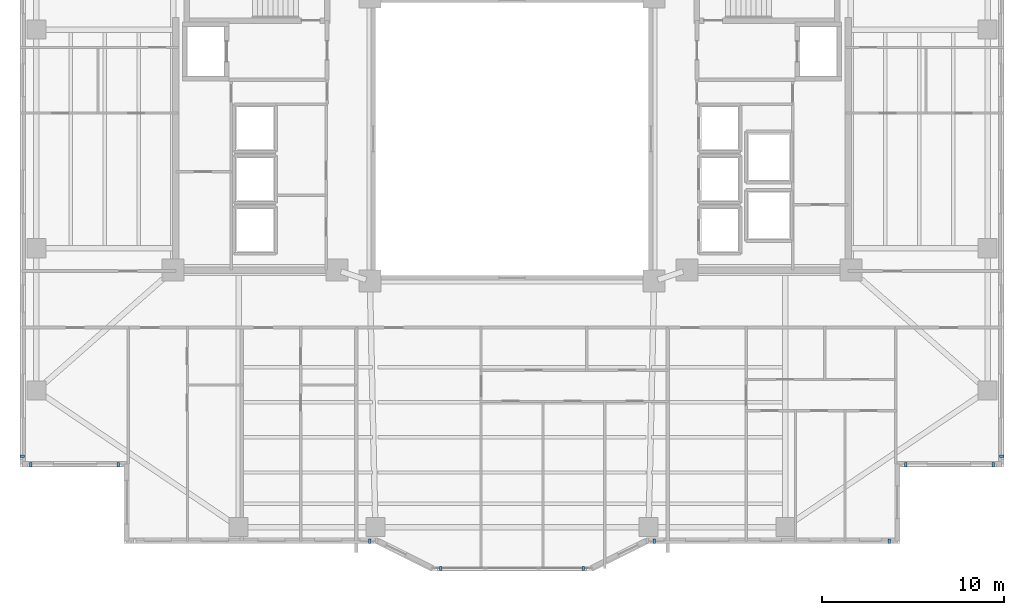
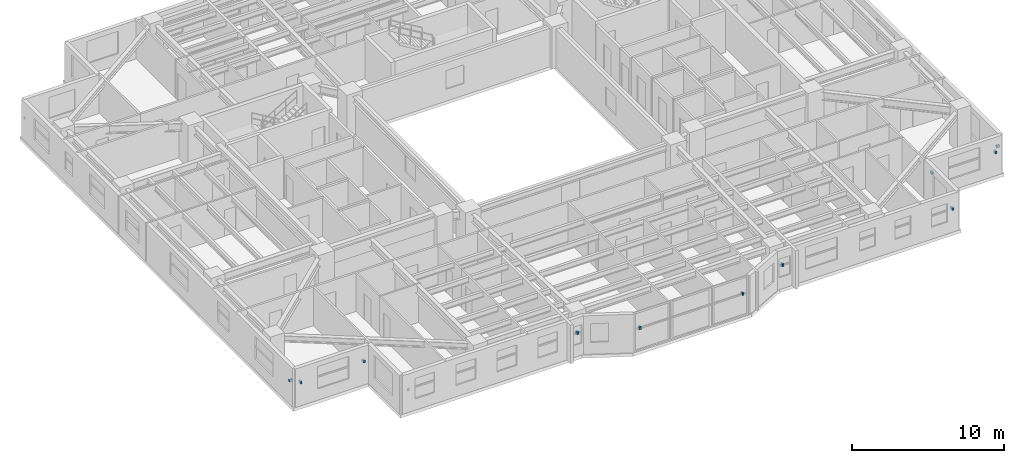
# One storey, part 13 of 19: 11 discrete accessories.
"""IFC4 building model written with IfcOpenShell, lengths in metres."""

from ifc_helpers import new_model, si_unit, direction, frame, origin, origin_2d, place, context, subcontext, project, spatial, rectangle, extrude, material, type_object, element, save


model = new_model("IFC4")

# Units and contexts
model_context = context("Model", 3, precision=1e-05, world=origin(), true_north=direction((0.0, 1.0)))
body_context = subcontext(model_context, "Body", "Model", "MODEL_VIEW")
ifc_project = project(units=[si_unit("LENGTHUNIT", "METRE"), si_unit("AREAUNIT", "SQUARE_METRE"), si_unit("VOLUMEUNIT", "CUBIC_METRE"), si_unit("PLANEANGLEUNIT", "RADIAN"), si_unit("MASSUNIT", "GRAM", prefix="KILO")], contexts=[model_context])

# Site, building, storey
site_placement = place(None, origin())
site = spatial("IfcSite", under=ifc_project, at=site_placement, CompositionType="ELEMENT")
building_placement = place(site_placement, origin())
building = spatial("IfcBuilding", under=site, at=building_placement, Name="Tarnavaz Court Tower", CompositionType="ELEMENT")
storey_placement = place(building_placement, frame((0.0, 0.0, 81.64990234375)))
storey = spatial("IfcBuildingStorey", under=building, at=storey_placement, Name="L21", CompositionType="ELEMENT", Elevation=81.64990234375)

# Discrete accessories
ifc_material = material(Name="Anodised Aluminium 6063-T6", Category="aluminium")
discrete_accessory_type = type_object("IfcDiscreteAccessoryType", Name="DA-BRKT-ALU", PredefinedType="BRACKET", material=ifc_material)
for number, where, z_axis, x_axis, name in (
    (1, (-21.60009765625, -17.8701171875, 1.75), (0.0, 0.0, 1.0), (-1.0, 0.0, 0.0), "L21 Baguette Outrigger Bracket FBG01-1"),
    (2, (-26.39990234375, -17.8701171875, 1.75), (0.0, 0.0, 1.0), (-1.0, 0.0, 0.0), "L21 Baguette Outrigger Bracket FBG01-2"),
    (3, (-26.8701171875, -17.39990234375, 1.75), (0.0, 0.0, 1.0), (0.0, 1.0, 0.0), "L21 Baguette Outrigger Bracket FBG02-1"),
    (4, (26.8701171875, -17.39990234375, 1.75), (0.0, 0.0, 1.0), (0.0, -1.0, 0.0), "L21 Baguette Outrigger Bracket FBG12-2"),
    (5, (26.39990234375, -17.8701171875, 1.75), (0.0, 0.0, 1.0), (-1.0, 0.0, 0.0), "L21 Baguette Outrigger Bracket FBG13-1"),
    (6, (21.60009765625, -17.8701171875, 1.75), (0.0, 0.0, 1.0), (-1.0, 0.0, 0.0), "L21 Baguette Outrigger Bracket FBG13-2"),
    (7, (20.699951171875, -22.070068359375, 1.75), (0.0, 0.0, 1.0), (-1.0, 0.0, 0.0), "L21 Baguette Outrigger Bracket FBG15-1"),
    (8, (7.800048828125, -22.070068359375, 1.75), (0.0, 0.0, 1.0), (-1.0, 0.0, 0.0), "L21 Baguette Outrigger Bracket FBG15-2"),
    (9, (3.89990234375, -23.570068359375, 1.7001953125), (0.0, 0.0, 1.0), (-1.0, 0.0, 0.0), "L21 Baguette Outrigger Bracket PBG17-1"),
    (10, (-3.89990234375, -23.570068359375, 1.7001953125), (0.0, 0.0, 1.0), (-1.0, 0.0, 0.0), "L21 Baguette Outrigger Bracket PBG17-2"),
    (11, (-7.800048828125, -22.070068359375, 1.75), (0.0, 0.0, 1.0), (-1.0, 0.0, 0.0), "L21 Baguette Outrigger Bracket FBG19-1"),
):
    element("IfcDiscreteAccessory", number, at=place(storey_placement, frame(where, z_axis=z_axis, x_axis=x_axis)), inside=storey, type_object=discrete_accessory_type, Name=name, PredefinedType="BRACKET", context=body_context, shape_type="SweptSolid", body=[
        extrude(rectangle(XDim=0.139892578125, YDim=0.239990234375, at=origin_2d()), origin(), (0.0, 0.0, 1.0), 0.199951171875),
    ])

save(model, "model.ifc")
